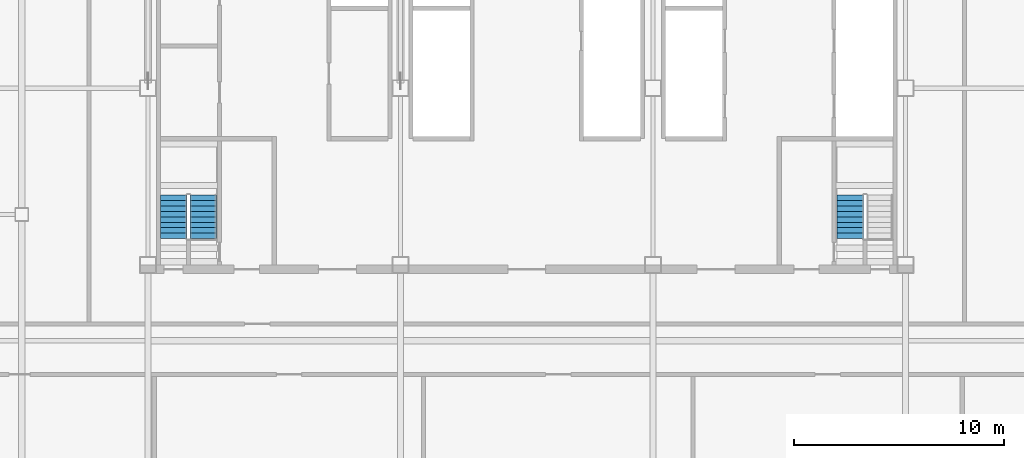
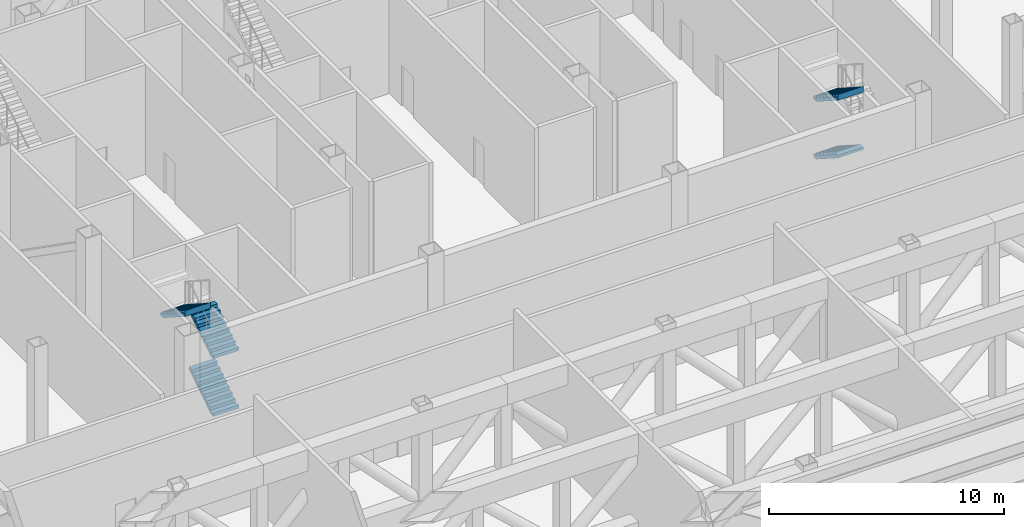
# One storey, part 9 of 17: 5 stair flights, 2 elements without a shape of their own.
"""IFC4 building model written with IfcOpenShell, lengths in metres."""

from ifc_helpers import new_model, si_unit, direction, frame, origin, place, context, subcontext, project, spatial, polyline, outline, extrude, material, type_object, element, aggregate, save


model = new_model("IFC4")

# Units and contexts
model_context = context("Model", 3, precision=1e-05, world=origin(), true_north=direction((0.0, 1.0)))
body_context = subcontext(model_context, "Body", "Model", "MODEL_VIEW")
ifc_project = project(units=[si_unit("LENGTHUNIT", "METRE"), si_unit("AREAUNIT", "SQUARE_METRE"), si_unit("VOLUMEUNIT", "CUBIC_METRE"), si_unit("PLANEANGLEUNIT", "RADIAN"), si_unit("MASSUNIT", "GRAM", prefix="KILO")], contexts=[model_context])

# Site, building, storey
site_placement = place(None, origin())
site = spatial("IfcSite", under=ifc_project, at=site_placement, CompositionType="ELEMENT")
building_placement = place(site_placement, origin())
building = spatial("IfcBuilding", under=site, at=building_placement, Name="Sorahane Residences", CompositionType="ELEMENT")
storey_placement = place(building_placement, frame((0.0, 0.0, 186.0)))
storey = spatial("IfcBuildingStorey", under=building, at=storey_placement, Name="L43", CompositionType="ELEMENT", Elevation=186.0)

# Stair, stair flights
ifc_material_1 = material(Name="Concrete C40", Category="concrete")
stair_type = type_object("IfcStairType", Name="Dog-leg stair 1250 Concrete C40", PredefinedType="HALF_TURN_STAIR", material=ifc_material_1)
stair_1_placement = place(storey_placement, origin())
stair_1 = element("IfcStair", 1, at=stair_1_placement, inside=storey, type_object=stair_type, Name="L43 Stair S4", PredefinedType="HALF_TURN_STAIR")
ifc_material_2 = material(Name="Concrete C40", Category="concrete")
stair_flight_type = type_object("IfcStairFlightType", Name="Stair flight 1250 Concrete C40", PredefinedType="STRAIGHT", material=ifc_material_2)
stair_flight_1_placement = place(storey_placement, frame((8.625, 22.85009765625, 0.0), z_axis=(0.0, 0.0, 1.0), x_axis=(0.0, 1.0, 0.0)))
stair_flight_1 = element("IfcStairFlight", 2, at=stair_flight_1_placement, type_object=stair_flight_type, Name="S4 flight 1", NumberOfRisers=9, NumberOfTreads=8, PredefinedType="STRAIGHT", RiserHeight=0.166666667, TreadLength=0.26, context=body_context, shape_type="SweptSolid", body=[
    extrude(outline(polyline([(-0.00146484375, 0.0), (-0.00146484375, 0.001953125), (-0.00146484375, 0.004150390625), (-0.00146484375, 0.006103515625), (-0.00146484375, 0.00830078125), (-0.00146484375, 0.01025390625), (-0.00146484375, 0.012451171875), (-0.00146484375, 0.014404296875), (-0.00146484375, 0.016357421875), (-0.00146484375, 0.0185546875), (-0.00146484375, 0.0205078125), (-0.00146484375, 0.022705078125), (-0.00146484375, 0.024658203125), (-0.00146484375, 0.02685546875), (-0.00146484375, 0.02880859375), (-0.00146484375, 0.03076171875), (-0.00146484375, 0.032958984375), (-0.00146484375, 0.034912109375), (-0.00146484375, 0.037109375), (-0.00146484375, 0.0390625), (-0.00146484375, 0.041259765625), (-0.00146484375, 0.043212890625), (-0.00146484375, 0.045166015625), (-0.00146484375, 0.04736328125), (-0.00146484375, 0.04931640625), (-0.00146484375, 0.051513671875), (-0.00146484375, 0.053466796875), (-0.00146484375, 0.0556640625), (-0.00146484375, 0.0576171875), (-0.00146484375, 0.0595703125), (-0.00146484375, 0.061767578125), (-0.00146484375, 0.063720703125), (-0.00146484375, 0.06591796875), (-0.00146484375, 0.06787109375), (-0.00146484375, 0.070068359375), (-0.00146484375, 0.072021484375), (-0.00146484375, 0.073974609375), (-0.00146484375, 0.076171875), (-0.00146484375, 0.078125), (-0.00146484375, 0.080322265625), (-0.00146484375, 0.082275390625), (-0.00146484375, 0.08447265625), (-0.00146484375, 0.08642578125), (-0.00146484375, 0.08837890625), (-0.00146484375, 0.090576171875), (-0.00146484375, 0.092529296875), (-0.00146484375, 0.0947265625), (-0.00146484375, 0.0966796875), (-0.00146484375, 0.098876953125), (-0.00146484375, 0.100830078125), (-0.00146484375, 0.102783203125), (-0.00146484375, 0.10498046875), (-0.00146484375, 0.10693359375), (-0.00146484375, 0.109130859375), (-0.00146484375, 0.111083984375), (-0.00146484375, 0.11328125), (-0.00146484375, 0.115234375), (-0.00146484375, 0.1171875), (-0.00146484375, 0.119384765625), (-0.00146484375, 0.121337890625), (-0.00146484375, 0.12353515625), (-0.00146484375, 0.12548828125), (-0.00146484375, 0.127685546875), (-0.00146484375, 0.129638671875), (-0.00146484375, 0.131591796875), (-0.00146484375, 0.1337890625), (-0.00146484375, 0.1357421875), (-0.00146484375, 0.137939453125), (-0.00146484375, 0.139892578125), (-0.00146484375, 0.14208984375), (-0.00146484375, 0.14404296875), (-0.00146484375, 0.14599609375), (-0.00146484375, 0.148193359375), (-0.00146484375, 0.150146484375), (-0.00146484375, 0.15234375), (-0.00146484375, 0.154296875), (-0.00146484375, 0.156494140625), (-0.00146484375, 0.158447265625), (-0.00146484375, 0.160400390625), (-0.00146484375, 0.16259765625), (-0.00146484375, 0.16455078125), (-0.00146484375, 0.166748046875), (0.0, 0.166748046875), (0.260009765625, 0.166748046875), (0.260009765625, 0.333251953125), (0.52001953125, 0.333251953125), (0.52001953125, 0.5), (0.780029296875, 0.5), (0.780029296875, 0.666748046875), (1.0400390625, 0.666748046875), (1.0400390625, 0.833251953125), (1.300048828125, 0.833251953125), (1.300048828125, 1.0), (1.56005859375, 1.0), (1.56005859375, 1.166748046875), (1.820068359375, 1.166748046875), (1.820068359375, 1.333251953125), (2.080078125, 1.333251953125), (2.080078125, 1.5), (2.080078125, 1.49609375), (2.080078125, 1.492431640625), (2.080078125, 1.488525390625), (2.080078125, 1.484619140625), (2.080078125, 1.48095703125), (2.080078125, 1.47705078125), (2.080078125, 1.47314453125), (2.080078125, 1.469482421875), (2.080078125, 1.465576171875), (2.080078125, 1.4619140625), (2.080078125, 1.4580078125), (2.080078125, 1.4541015625), (2.080078125, 1.450439453125), (2.080078125, 1.446533203125), (2.080078125, 1.442626953125), (2.080078125, 1.43896484375), (2.080078125, 1.43505859375), (2.080078125, 1.43115234375), (2.080078125, 1.427490234375), (2.080078125, 1.423583984375), (2.080078125, 1.419677734375), (2.080078125, 1.416015625), (2.080078125, 1.412109375), (2.080078125, 1.408447265625), (2.080078125, 1.404541015625), (2.080078125, 1.400634765625), (2.080078125, 1.39697265625), (2.080078125, 1.39306640625), (2.080078125, 1.38916015625), (2.080078125, 1.385498046875), (2.080078125, 1.381591796875), (2.080078125, 1.377685546875), (2.080078125, 1.3740234375), (2.080078125, 1.3701171875), (2.080078125, 1.3662109375), (2.080078125, 1.362548828125), (2.080078125, 1.358642578125), (2.080078125, 1.35498046875), (2.080078125, 1.35107421875), (2.080078125, 1.34716796875), (2.080078125, 1.343505859375), (2.080078125, 1.339599609375), (2.080078125, 1.335693359375), (2.080078125, 1.33203125), (2.080078125, 1.328125), (2.080078125, 1.32421875), (2.080078125, 1.320556640625), (2.080078125, 1.316650390625), (2.080078125, 1.312744140625), (2.080078125, 1.30908203125), (2.080078125, 1.30517578125), (2.080078125, 1.301513671875), (2.080078125, 1.297607421875), (2.080078125, 1.293701171875), (2.080078125, 1.2900390625), (2.080078125, 1.2861328125), (2.080078125, 1.2822265625), (2.080078125, 1.278564453125), (2.080078125, 1.274658203125), (2.080078125, 1.270751953125), (2.080078125, 1.26708984375), (2.080078125, 1.26318359375), (2.080078125, 1.25927734375), (2.080078125, 1.255615234375), (2.080078125, 1.251708984375), (2.080078125, 1.248046875), (2.080078125, 1.244140625), (2.080078125, 1.240234375), (2.080078125, 1.236572265625), (2.080078125, 1.232666015625), (2.080078125, 1.228759765625), (2.080078125, 1.22509765625), (2.080078125, 1.22119140625), (2.080078125, 1.21728515625), (2.080078125, 1.213623046875), (2.080078125, 1.209716796875), (2.080078125, 1.205810546875), (2.080078125, 1.2021484375), (2.080078125, 1.1982421875), (2.080078125, 1.194580078125), (2.080078125, 1.190673828125), (1.894287109375, 1.071533203125), (1.70849609375, 0.95263671875), (1.522705078125, 0.83349609375), (1.3369140625, 0.71435546875), (1.1513671875, 0.59521484375), (0.965576171875, 0.476318359375), (0.77978515625, 0.357177734375), (0.593994140625, 0.238037109375), (0.408203125, 0.119140625), (0.22265625, 0.0), (-0.00146484375, 0.0)])), frame((0.0, 0.625, 0.0), z_axis=(0.0, -1.0, 0.0), x_axis=(1.0, 0.0, 0.0)), (0.0, 0.0, 1.0), 1.25),
])
stair_flight_2_placement = place(storey_placement, frame((8.625, 22.85009765625, 3.0), z_axis=(0.0, 0.0, 1.0), x_axis=(0.0, 1.0, 0.0)))
stair_flight_2 = element("IfcStairFlight", 3, at=stair_flight_2_placement, type_object=stair_flight_type, Name="S4 flight 3", NumberOfRisers=9, NumberOfTreads=8, PredefinedType="STRAIGHT", RiserHeight=0.166666667, TreadLength=0.26, context=body_context, shape_type="SweptSolid", body=[
    extrude(outline(polyline([(0.0, 0.0), (0.0, 0.001953125), (0.0, 0.004150390625), (0.0, 0.006103515625), (0.0, 0.00830078125), (0.0, 0.01025390625), (0.0, 0.012451171875), (0.0, 0.014404296875), (0.0, 0.016357421875), (0.0, 0.0185546875), (0.0, 0.0205078125), (0.0, 0.022705078125), (0.0, 0.024658203125), (0.0, 0.02685546875), (0.0, 0.02880859375), (0.0, 0.03076171875), (0.0, 0.032958984375), (0.0, 0.034912109375), (0.0, 0.037109375), (0.0, 0.0390625), (0.0, 0.041259765625), (0.0, 0.043212890625), (0.0, 0.045166015625), (0.0, 0.04736328125), (0.0, 0.04931640625), (0.0, 0.051513671875), (0.0, 0.053466796875), (0.0, 0.0556640625), (0.0, 0.0576171875), (0.0, 0.0595703125), (0.0, 0.061767578125), (0.0, 0.063720703125), (0.0, 0.06591796875), (0.0, 0.06787109375), (0.0, 0.070068359375), (0.0, 0.072021484375), (0.0, 0.073974609375), (0.0, 0.076171875), (0.0, 0.078125), (0.0, 0.080322265625), (0.0, 0.082275390625), (0.0, 0.08447265625), (0.0, 0.08642578125), (0.0, 0.08837890625), (0.0, 0.090576171875), (0.0, 0.092529296875), (0.0, 0.0947265625), (0.0, 0.0966796875), (0.0, 0.098876953125), (0.0, 0.100830078125), (0.0, 0.102783203125), (0.0, 0.10498046875), (0.0, 0.10693359375), (0.0, 0.109130859375), (0.0, 0.111083984375), (0.0, 0.11328125), (0.0, 0.115234375), (0.0, 0.1171875), (0.0, 0.119384765625), (0.0, 0.121337890625), (0.0, 0.12353515625), (0.0, 0.12548828125), (0.0, 0.127685546875), (0.0, 0.129638671875), (0.0, 0.131591796875), (0.0, 0.1337890625), (0.0, 0.1357421875), (0.0, 0.137939453125), (0.0, 0.139892578125), (0.0, 0.14208984375), (0.0, 0.14404296875), (0.0, 0.14599609375), (0.0, 0.148193359375), (0.0, 0.150146484375), (0.0, 0.15234375), (0.0, 0.154296875), (0.0, 0.156494140625), (0.0, 0.158447265625), (0.0, 0.160400390625), (0.0, 0.16259765625), (0.0, 0.16455078125), (0.0, 0.166748046875), (0.260009765625, 0.166748046875), (0.260009765625, 0.333251953125), (0.52001953125, 0.333251953125), (0.52001953125, 0.5), (0.780029296875, 0.5), (0.780029296875, 0.666748046875), (1.0400390625, 0.666748046875), (1.0400390625, 0.833251953125), (1.300048828125, 0.833251953125), (1.300048828125, 1.0), (1.56005859375, 1.0), (1.56005859375, 1.166748046875), (1.820068359375, 1.166748046875), (1.820068359375, 1.333251953125), (2.080078125, 1.333251953125), (2.080078125, 1.5), (2.080078125, 1.49609375), (2.080078125, 1.492431640625), (2.080078125, 1.488525390625), (2.080078125, 1.484619140625), (2.080078125, 1.48095703125), (2.080078125, 1.47705078125), (2.080078125, 1.47314453125), (2.080078125, 1.469482421875), (2.080078125, 1.465576171875), (2.080078125, 1.4619140625), (2.080078125, 1.4580078125), (2.080078125, 1.4541015625), (2.080078125, 1.450439453125), (2.080078125, 1.446533203125), (2.080078125, 1.442626953125), (2.080078125, 1.43896484375), (2.080078125, 1.43505859375), (2.080078125, 1.43115234375), (2.080078125, 1.427490234375), (2.080078125, 1.423583984375), (2.080078125, 1.419677734375), (2.080078125, 1.416015625), (2.080078125, 1.412109375), (2.080078125, 1.408447265625), (2.080078125, 1.404541015625), (2.080078125, 1.400634765625), (2.080078125, 1.39697265625), (2.080078125, 1.39306640625), (2.080078125, 1.38916015625), (2.080078125, 1.385498046875), (2.080078125, 1.381591796875), (2.080078125, 1.377685546875), (2.080078125, 1.3740234375), (2.080078125, 1.3701171875), (2.080078125, 1.3662109375), (2.080078125, 1.362548828125), (2.080078125, 1.358642578125), (2.080078125, 1.35498046875), (2.080078125, 1.35107421875), (2.080078125, 1.34716796875), (2.080078125, 1.343505859375), (2.080078125, 1.339599609375), (2.080078125, 1.335693359375), (2.080078125, 1.33203125), (2.080078125, 1.328125), (2.080078125, 1.32421875), (2.080078125, 1.320556640625), (2.080078125, 1.316650390625), (2.080078125, 1.312744140625), (2.080078125, 1.30908203125), (2.080078125, 1.30517578125), (2.080078125, 1.301513671875), (2.080078125, 1.297607421875), (2.080078125, 1.293701171875), (2.080078125, 1.2900390625), (2.080078125, 1.2861328125), (2.080078125, 1.2822265625), (2.080078125, 1.278564453125), (2.080078125, 1.274658203125), (2.080078125, 1.270751953125), (2.080078125, 1.26708984375), (2.080078125, 1.26318359375), (2.080078125, 1.25927734375), (2.080078125, 1.255615234375), (2.080078125, 1.251708984375), (2.080078125, 1.248046875), (2.080078125, 1.244140625), (2.080078125, 1.240234375), (2.080078125, 1.236572265625), (2.080078125, 1.232666015625), (2.080078125, 1.228759765625), (2.080078125, 1.22509765625), (2.080078125, 1.22119140625), (2.080078125, 1.21728515625), (2.080078125, 1.213623046875), (2.080078125, 1.209716796875), (2.080078125, 1.205810546875), (2.080078125, 1.2021484375), (2.080078125, 1.1982421875), (2.080078125, 1.194580078125), (2.080078125, 1.190673828125), (1.87353515625, 1.058349609375), (1.667236328125, 0.926025390625), (1.4609375, 0.793701171875), (1.25439453125, 0.661376953125), (1.048095703125, 0.529296875), (0.841796875, 0.39697265625), (0.63525390625, 0.2646484375), (0.428955078125, 0.13232421875), (0.22265625, 0.0), (0.0, 0.0)])), frame((0.0, 0.625, 0.0), z_axis=(0.0, -1.0, 0.0), x_axis=(1.0, 0.0, 0.0)), (0.0, 0.0, 1.0), 1.25),
])
stair_flight_3_placement = place(storey_placement, frame((7.22509765625, 24.929931640625, 4.5), z_axis=(0.0, 0.0, 1.0), x_axis=(0.0, -1.0, 0.0)))
stair_flight_3 = element("IfcStairFlight", 4, at=stair_flight_3_placement, type_object=stair_flight_type, Name="S4 flight 4", NumberOfRisers=9, NumberOfTreads=8, PredefinedType="STRAIGHT", RiserHeight=0.166666667, TreadLength=0.26, context=body_context, shape_type="SweptSolid", body=[
    extrude(outline(polyline([(0.0, 0.0), (0.0, 0.001953125), (0.0, 0.004150390625), (0.0, 0.006103515625), (0.0, 0.00830078125), (0.0, 0.01025390625), (0.0, 0.012451171875), (0.0, 0.014404296875), (0.0, 0.016357421875), (0.0, 0.0185546875), (0.0, 0.0205078125), (0.0, 0.022705078125), (0.0, 0.024658203125), (0.0, 0.02685546875), (0.0, 0.02880859375), (0.0, 0.03076171875), (0.0, 0.032958984375), (0.0, 0.034912109375), (0.0, 0.037109375), (0.0, 0.0390625), (0.0, 0.041259765625), (0.0, 0.043212890625), (0.0, 0.045166015625), (0.0, 0.04736328125), (0.0, 0.04931640625), (0.0, 0.051513671875), (0.0, 0.053466796875), (0.0, 0.0556640625), (0.0, 0.0576171875), (0.0, 0.0595703125), (0.0, 0.061767578125), (0.0, 0.063720703125), (0.0, 0.06591796875), (0.0, 0.06787109375), (0.0, 0.070068359375), (0.0, 0.072021484375), (0.0, 0.073974609375), (0.0, 0.076171875), (0.0, 0.078125), (0.0, 0.080322265625), (0.0, 0.082275390625), (0.0, 0.08447265625), (0.0, 0.08642578125), (0.0, 0.08837890625), (0.0, 0.090576171875), (0.0, 0.092529296875), (0.0, 0.0947265625), (0.0, 0.0966796875), (0.0, 0.098876953125), (0.0, 0.100830078125), (0.0, 0.102783203125), (0.0, 0.10498046875), (0.0, 0.10693359375), (0.0, 0.109130859375), (0.0, 0.111083984375), (0.0, 0.11328125), (0.0, 0.115234375), (0.0, 0.1171875), (0.0, 0.119384765625), (0.0, 0.121337890625), (0.0, 0.12353515625), (0.0, 0.12548828125), (0.0, 0.127685546875), (0.0, 0.129638671875), (0.0, 0.131591796875), (0.0, 0.1337890625), (0.0, 0.1357421875), (0.0, 0.137939453125), (0.0, 0.139892578125), (0.0, 0.14208984375), (0.0, 0.14404296875), (0.0, 0.14599609375), (0.0, 0.148193359375), (0.0, 0.150146484375), (0.0, 0.15234375), (0.0, 0.154296875), (0.0, 0.156494140625), (0.0, 0.158447265625), (0.0, 0.160400390625), (0.0, 0.16259765625), (0.0, 0.16455078125), (0.0, 0.166748046875), (0.260009765625, 0.166748046875), (0.260009765625, 0.333251953125), (0.52001953125, 0.333251953125), (0.52001953125, 0.5), (0.780029296875, 0.5), (0.780029296875, 0.666748046875), (1.0400390625, 0.666748046875), (1.0400390625, 0.833251953125), (1.300048828125, 0.833251953125), (1.300048828125, 1.0), (1.56005859375, 1.0), (1.56005859375, 1.166748046875), (1.820068359375, 1.166748046875), (1.820068359375, 1.333251953125), (2.080078125, 1.333251953125), (2.080078125, 1.5), (2.08154296875, 1.5), (2.08154296875, 1.49609375), (2.08154296875, 1.492431640625), (2.08154296875, 1.488525390625), (2.08154296875, 1.484619140625), (2.08154296875, 1.48095703125), (2.08154296875, 1.47705078125), (2.08154296875, 1.47314453125), (2.08154296875, 1.469482421875), (2.08154296875, 1.465576171875), (2.08154296875, 1.4619140625), (2.08154296875, 1.4580078125), (2.08154296875, 1.4541015625), (2.08154296875, 1.450439453125), (2.08154296875, 1.446533203125), (2.08154296875, 1.442626953125), (2.08154296875, 1.43896484375), (2.08154296875, 1.43505859375), (2.08154296875, 1.43115234375), (2.08154296875, 1.427490234375), (2.08154296875, 1.423583984375), (2.08154296875, 1.419677734375), (2.08154296875, 1.416015625), (2.08154296875, 1.412109375), (2.08154296875, 1.408447265625), (2.08154296875, 1.404541015625), (2.08154296875, 1.400634765625), (2.08154296875, 1.39697265625), (2.08154296875, 1.39306640625), (2.08154296875, 1.38916015625), (2.08154296875, 1.385498046875), (2.08154296875, 1.381591796875), (2.08154296875, 1.377685546875), (2.08154296875, 1.3740234375), (2.08154296875, 1.3701171875), (2.08154296875, 1.3662109375), (2.08154296875, 1.362548828125), (2.08154296875, 1.358642578125), (2.08154296875, 1.35498046875), (2.08154296875, 1.35107421875), (2.08154296875, 1.34716796875), (2.08154296875, 1.343505859375), (2.08154296875, 1.339599609375), (2.08154296875, 1.335693359375), (2.08154296875, 1.33203125), (2.08154296875, 1.328125), (2.08154296875, 1.32421875), (2.08154296875, 1.320556640625), (2.08154296875, 1.316650390625), (2.08154296875, 1.312744140625), (2.08154296875, 1.30908203125), (2.08154296875, 1.30517578125), (2.08154296875, 1.301513671875), (2.08154296875, 1.297607421875), (2.08154296875, 1.293701171875), (2.08154296875, 1.2900390625), (2.08154296875, 1.2861328125), (2.08154296875, 1.2822265625), (2.08154296875, 1.278564453125), (2.08154296875, 1.274658203125), (2.08154296875, 1.270751953125), (2.08154296875, 1.26708984375), (2.08154296875, 1.26318359375), (2.08154296875, 1.25927734375), (2.08154296875, 1.255615234375), (2.08154296875, 1.251708984375), (2.08154296875, 1.248046875), (2.08154296875, 1.244140625), (2.08154296875, 1.240234375), (2.08154296875, 1.236572265625), (2.08154296875, 1.232666015625), (2.08154296875, 1.228759765625), (2.08154296875, 1.22509765625), (2.08154296875, 1.22119140625), (2.08154296875, 1.21728515625), (2.08154296875, 1.213623046875), (2.08154296875, 1.209716796875), (2.08154296875, 1.205810546875), (2.08154296875, 1.2021484375), (2.08154296875, 1.1982421875), (2.08154296875, 1.194580078125), (2.08154296875, 1.190673828125), (1.8955078125, 1.071533203125), (1.709716796875, 0.95263671875), (1.52392578125, 0.83349609375), (1.337890625, 0.71435546875), (1.152099609375, 0.59521484375), (0.966064453125, 0.476318359375), (0.7802734375, 0.357177734375), (0.594482421875, 0.238037109375), (0.408447265625, 0.119140625), (0.22265625, 0.0), (0.0, 0.0)])), frame((0.0, 0.625, 0.0), z_axis=(0.0, -1.0, 0.0), x_axis=(1.0, 0.0, 0.0)), (0.0, 0.0, 1.0), 1.25),
])
aggregate(stair_1, [stair_flight_1, stair_flight_2, stair_flight_3])

stair_2_placement = place(storey_placement, origin())
stair_2 = element("IfcStair", 5, at=stair_2_placement, inside=storey, type_object=stair_type, Name="L43 Stair S5", PredefinedType="HALF_TURN_STAIR")
stair_flight_4_placement = place(storey_placement, frame((39.375, 24.929931640625, 1.5), z_axis=(0.0, 0.0, 1.0), x_axis=(0.0, -1.0, 0.0)))
stair_flight_4 = element("IfcStairFlight", 6, at=stair_flight_4_placement, type_object=stair_flight_type, Name="S5 flight 2", NumberOfRisers=9, NumberOfTreads=8, PredefinedType="STRAIGHT", RiserHeight=0.166666667, TreadLength=0.26, context=body_context, shape_type="SweptSolid", body=[
    extrude(outline(polyline([(0.0, 0.0), (0.0, 0.001953125), (0.0, 0.004150390625), (0.0, 0.006103515625), (0.0, 0.00830078125), (0.0, 0.01025390625), (0.0, 0.012451171875), (0.0, 0.014404296875), (0.0, 0.016357421875), (0.0, 0.0185546875), (0.0, 0.0205078125), (0.0, 0.022705078125), (0.0, 0.024658203125), (0.0, 0.02685546875), (0.0, 0.02880859375), (0.0, 0.03076171875), (0.0, 0.032958984375), (0.0, 0.034912109375), (0.0, 0.037109375), (0.0, 0.0390625), (0.0, 0.041259765625), (0.0, 0.043212890625), (0.0, 0.045166015625), (0.0, 0.04736328125), (0.0, 0.04931640625), (0.0, 0.051513671875), (0.0, 0.053466796875), (0.0, 0.0556640625), (0.0, 0.0576171875), (0.0, 0.0595703125), (0.0, 0.061767578125), (0.0, 0.063720703125), (0.0, 0.06591796875), (0.0, 0.06787109375), (0.0, 0.070068359375), (0.0, 0.072021484375), (0.0, 0.073974609375), (0.0, 0.076171875), (0.0, 0.078125), (0.0, 0.080322265625), (0.0, 0.082275390625), (0.0, 0.08447265625), (0.0, 0.08642578125), (0.0, 0.08837890625), (0.0, 0.090576171875), (0.0, 0.092529296875), (0.0, 0.0947265625), (0.0, 0.0966796875), (0.0, 0.098876953125), (0.0, 0.100830078125), (0.0, 0.102783203125), (0.0, 0.10498046875), (0.0, 0.10693359375), (0.0, 0.109130859375), (0.0, 0.111083984375), (0.0, 0.11328125), (0.0, 0.115234375), (0.0, 0.1171875), (0.0, 0.119384765625), (0.0, 0.121337890625), (0.0, 0.12353515625), (0.0, 0.12548828125), (0.0, 0.127685546875), (0.0, 0.129638671875), (0.0, 0.131591796875), (0.0, 0.1337890625), (0.0, 0.1357421875), (0.0, 0.137939453125), (0.0, 0.139892578125), (0.0, 0.14208984375), (0.0, 0.14404296875), (0.0, 0.14599609375), (0.0, 0.148193359375), (0.0, 0.150146484375), (0.0, 0.15234375), (0.0, 0.154296875), (0.0, 0.156494140625), (0.0, 0.158447265625), (0.0, 0.160400390625), (0.0, 0.16259765625), (0.0, 0.16455078125), (0.0, 0.166748046875), (0.260009765625, 0.166748046875), (0.260009765625, 0.333251953125), (0.52001953125, 0.333251953125), (0.52001953125, 0.5), (0.780029296875, 0.5), (0.780029296875, 0.666748046875), (1.0400390625, 0.666748046875), (1.0400390625, 0.833251953125), (1.300048828125, 0.833251953125), (1.300048828125, 1.0), (1.56005859375, 1.0), (1.56005859375, 1.166748046875), (1.820068359375, 1.166748046875), (1.820068359375, 1.333251953125), (2.080078125, 1.333251953125), (2.080078125, 1.5), (2.080078125, 1.49609375), (2.080078125, 1.492431640625), (2.080078125, 1.488525390625), (2.080078125, 1.484619140625), (2.080078125, 1.48095703125), (2.080078125, 1.47705078125), (2.080078125, 1.47314453125), (2.080078125, 1.469482421875), (2.080078125, 1.465576171875), (2.080078125, 1.4619140625), (2.080078125, 1.4580078125), (2.080078125, 1.4541015625), (2.080078125, 1.450439453125), (2.080078125, 1.446533203125), (2.080078125, 1.442626953125), (2.080078125, 1.43896484375), (2.080078125, 1.43505859375), (2.080078125, 1.43115234375), (2.080078125, 1.427490234375), (2.080078125, 1.423583984375), (2.080078125, 1.419677734375), (2.080078125, 1.416015625), (2.080078125, 1.412109375), (2.080078125, 1.408447265625), (2.080078125, 1.404541015625), (2.080078125, 1.400634765625), (2.080078125, 1.39697265625), (2.080078125, 1.39306640625), (2.080078125, 1.38916015625), (2.080078125, 1.385498046875), (2.080078125, 1.381591796875), (2.080078125, 1.377685546875), (2.080078125, 1.3740234375), (2.080078125, 1.3701171875), (2.080078125, 1.3662109375), (2.080078125, 1.362548828125), (2.080078125, 1.358642578125), (2.080078125, 1.35498046875), (2.080078125, 1.35107421875), (2.080078125, 1.34716796875), (2.080078125, 1.343505859375), (2.080078125, 1.339599609375), (2.080078125, 1.335693359375), (2.080078125, 1.33203125), (2.080078125, 1.328125), (2.080078125, 1.32421875), (2.080078125, 1.320556640625), (2.080078125, 1.316650390625), (2.080078125, 1.312744140625), (2.080078125, 1.30908203125), (2.080078125, 1.30517578125), (2.080078125, 1.301513671875), (2.080078125, 1.297607421875), (2.080078125, 1.293701171875), (2.080078125, 1.2900390625), (2.080078125, 1.2861328125), (2.080078125, 1.2822265625), (2.080078125, 1.278564453125), (2.080078125, 1.274658203125), (2.080078125, 1.270751953125), (2.080078125, 1.26708984375), (2.080078125, 1.26318359375), (2.080078125, 1.25927734375), (2.080078125, 1.255615234375), (2.080078125, 1.251708984375), (2.080078125, 1.248046875), (2.080078125, 1.244140625), (2.080078125, 1.240234375), (2.080078125, 1.236572265625), (2.080078125, 1.232666015625), (2.080078125, 1.228759765625), (2.080078125, 1.22509765625), (2.080078125, 1.22119140625), (2.080078125, 1.21728515625), (2.080078125, 1.213623046875), (2.080078125, 1.209716796875), (2.080078125, 1.205810546875), (2.080078125, 1.2021484375), (2.080078125, 1.1982421875), (2.080078125, 1.194580078125), (2.080078125, 1.190673828125), (1.87353515625, 1.058349609375), (1.667236328125, 0.926025390625), (1.4609375, 0.793701171875), (1.25439453125, 0.661376953125), (1.048095703125, 0.529296875), (0.841796875, 0.39697265625), (0.63525390625, 0.2646484375), (0.428955078125, 0.13232421875), (0.22265625, 0.0), (0.0, 0.0)])), frame((0.0, 0.625, 0.0), z_axis=(0.0, -1.0, 0.0), x_axis=(1.0, 0.0, 0.0)), (0.0, 0.0, 1.0), 1.25),
])
stair_flight_5_placement = place(storey_placement, frame((39.375, 24.929931640625, 4.5), z_axis=(0.0, 0.0, 1.0), x_axis=(0.0, -1.0, 0.0)))
stair_flight_5 = element("IfcStairFlight", 7, at=stair_flight_5_placement, type_object=stair_flight_type, Name="S5 flight 4", NumberOfRisers=9, NumberOfTreads=8, PredefinedType="STRAIGHT", RiserHeight=0.166666667, TreadLength=0.26, context=body_context, shape_type="SweptSolid", body=[
    extrude(outline(polyline([(0.0, 0.0), (0.0, 0.001953125), (0.0, 0.004150390625), (0.0, 0.006103515625), (0.0, 0.00830078125), (0.0, 0.01025390625), (0.0, 0.012451171875), (0.0, 0.014404296875), (0.0, 0.016357421875), (0.0, 0.0185546875), (0.0, 0.0205078125), (0.0, 0.022705078125), (0.0, 0.024658203125), (0.0, 0.02685546875), (0.0, 0.02880859375), (0.0, 0.03076171875), (0.0, 0.032958984375), (0.0, 0.034912109375), (0.0, 0.037109375), (0.0, 0.0390625), (0.0, 0.041259765625), (0.0, 0.043212890625), (0.0, 0.045166015625), (0.0, 0.04736328125), (0.0, 0.04931640625), (0.0, 0.051513671875), (0.0, 0.053466796875), (0.0, 0.0556640625), (0.0, 0.0576171875), (0.0, 0.0595703125), (0.0, 0.061767578125), (0.0, 0.063720703125), (0.0, 0.06591796875), (0.0, 0.06787109375), (0.0, 0.070068359375), (0.0, 0.072021484375), (0.0, 0.073974609375), (0.0, 0.076171875), (0.0, 0.078125), (0.0, 0.080322265625), (0.0, 0.082275390625), (0.0, 0.08447265625), (0.0, 0.08642578125), (0.0, 0.08837890625), (0.0, 0.090576171875), (0.0, 0.092529296875), (0.0, 0.0947265625), (0.0, 0.0966796875), (0.0, 0.098876953125), (0.0, 0.100830078125), (0.0, 0.102783203125), (0.0, 0.10498046875), (0.0, 0.10693359375), (0.0, 0.109130859375), (0.0, 0.111083984375), (0.0, 0.11328125), (0.0, 0.115234375), (0.0, 0.1171875), (0.0, 0.119384765625), (0.0, 0.121337890625), (0.0, 0.12353515625), (0.0, 0.12548828125), (0.0, 0.127685546875), (0.0, 0.129638671875), (0.0, 0.131591796875), (0.0, 0.1337890625), (0.0, 0.1357421875), (0.0, 0.137939453125), (0.0, 0.139892578125), (0.0, 0.14208984375), (0.0, 0.14404296875), (0.0, 0.14599609375), (0.0, 0.148193359375), (0.0, 0.150146484375), (0.0, 0.15234375), (0.0, 0.154296875), (0.0, 0.156494140625), (0.0, 0.158447265625), (0.0, 0.160400390625), (0.0, 0.16259765625), (0.0, 0.16455078125), (0.0, 0.166748046875), (0.260009765625, 0.166748046875), (0.260009765625, 0.333251953125), (0.52001953125, 0.333251953125), (0.52001953125, 0.5), (0.780029296875, 0.5), (0.780029296875, 0.666748046875), (1.0400390625, 0.666748046875), (1.0400390625, 0.833251953125), (1.300048828125, 0.833251953125), (1.300048828125, 1.0), (1.56005859375, 1.0), (1.56005859375, 1.166748046875), (1.820068359375, 1.166748046875), (1.820068359375, 1.333251953125), (2.080078125, 1.333251953125), (2.080078125, 1.5), (2.08154296875, 1.5), (2.08154296875, 1.49609375), (2.08154296875, 1.492431640625), (2.08154296875, 1.488525390625), (2.08154296875, 1.484619140625), (2.08154296875, 1.48095703125), (2.08154296875, 1.47705078125), (2.08154296875, 1.47314453125), (2.08154296875, 1.469482421875), (2.08154296875, 1.465576171875), (2.08154296875, 1.4619140625), (2.08154296875, 1.4580078125), (2.08154296875, 1.4541015625), (2.08154296875, 1.450439453125), (2.08154296875, 1.446533203125), (2.08154296875, 1.442626953125), (2.08154296875, 1.43896484375), (2.08154296875, 1.43505859375), (2.08154296875, 1.43115234375), (2.08154296875, 1.427490234375), (2.08154296875, 1.423583984375), (2.08154296875, 1.419677734375), (2.08154296875, 1.416015625), (2.08154296875, 1.412109375), (2.08154296875, 1.408447265625), (2.08154296875, 1.404541015625), (2.08154296875, 1.400634765625), (2.08154296875, 1.39697265625), (2.08154296875, 1.39306640625), (2.08154296875, 1.38916015625), (2.08154296875, 1.385498046875), (2.08154296875, 1.381591796875), (2.08154296875, 1.377685546875), (2.08154296875, 1.3740234375), (2.08154296875, 1.3701171875), (2.08154296875, 1.3662109375), (2.08154296875, 1.362548828125), (2.08154296875, 1.358642578125), (2.08154296875, 1.35498046875), (2.08154296875, 1.35107421875), (2.08154296875, 1.34716796875), (2.08154296875, 1.343505859375), (2.08154296875, 1.339599609375), (2.08154296875, 1.335693359375), (2.08154296875, 1.33203125), (2.08154296875, 1.328125), (2.08154296875, 1.32421875), (2.08154296875, 1.320556640625), (2.08154296875, 1.316650390625), (2.08154296875, 1.312744140625), (2.08154296875, 1.30908203125), (2.08154296875, 1.30517578125), (2.08154296875, 1.301513671875), (2.08154296875, 1.297607421875), (2.08154296875, 1.293701171875), (2.08154296875, 1.2900390625), (2.08154296875, 1.2861328125), (2.08154296875, 1.2822265625), (2.08154296875, 1.278564453125), (2.08154296875, 1.274658203125), (2.08154296875, 1.270751953125), (2.08154296875, 1.26708984375), (2.08154296875, 1.26318359375), (2.08154296875, 1.25927734375), (2.08154296875, 1.255615234375), (2.08154296875, 1.251708984375), (2.08154296875, 1.248046875), (2.08154296875, 1.244140625), (2.08154296875, 1.240234375), (2.08154296875, 1.236572265625), (2.08154296875, 1.232666015625), (2.08154296875, 1.228759765625), (2.08154296875, 1.22509765625), (2.08154296875, 1.22119140625), (2.08154296875, 1.21728515625), (2.08154296875, 1.213623046875), (2.08154296875, 1.209716796875), (2.08154296875, 1.205810546875), (2.08154296875, 1.2021484375), (2.08154296875, 1.1982421875), (2.08154296875, 1.194580078125), (2.08154296875, 1.190673828125), (1.8955078125, 1.071533203125), (1.709716796875, 0.95263671875), (1.52392578125, 0.83349609375), (1.337890625, 0.71435546875), (1.152099609375, 0.59521484375), (0.966064453125, 0.476318359375), (0.7802734375, 0.357177734375), (0.594482421875, 0.238037109375), (0.408447265625, 0.119140625), (0.22265625, 0.0), (0.0, 0.0)])), frame((0.0, 0.625, 0.0), z_axis=(0.0, -1.0, 0.0), x_axis=(1.0, 0.0, 0.0)), (0.0, 0.0, 1.0), 1.25),
])
aggregate(stair_2, [stair_flight_4, stair_flight_5])

save(model, "model.ifc")
